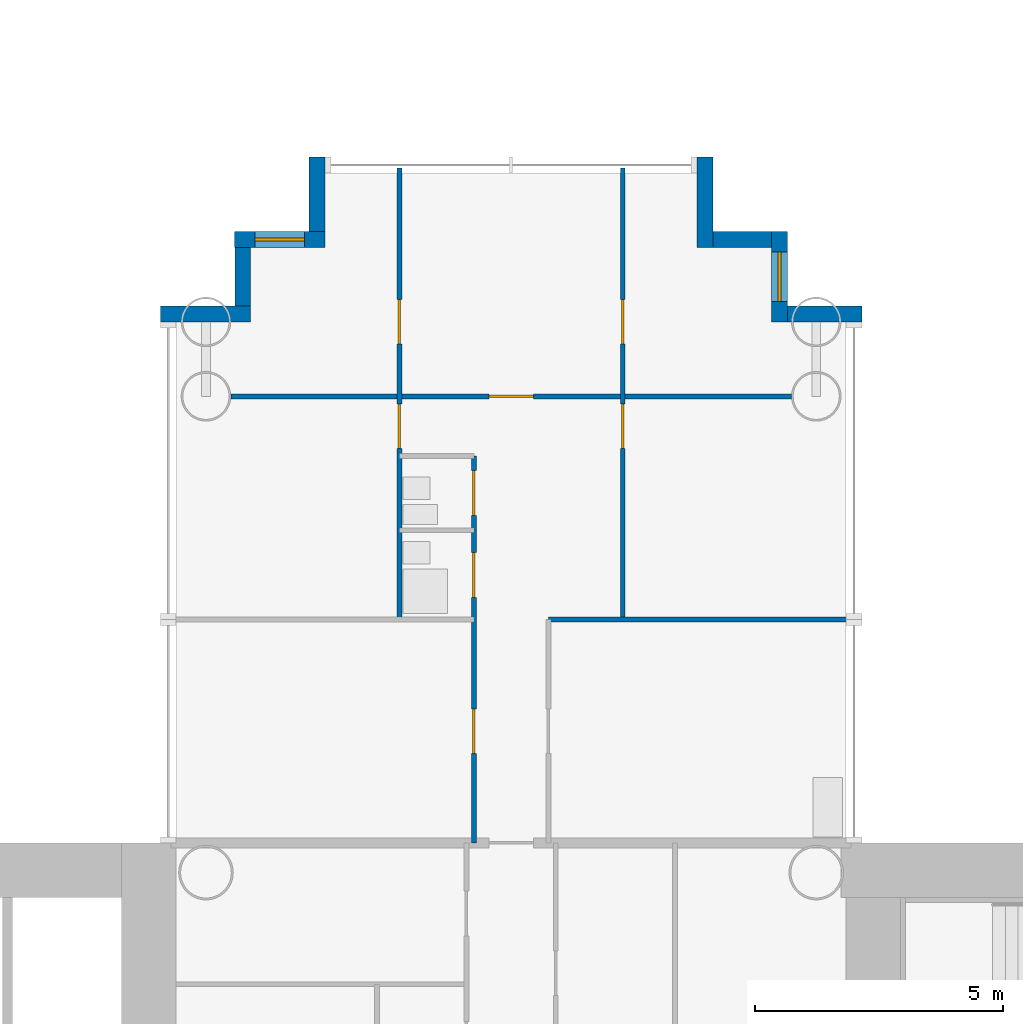
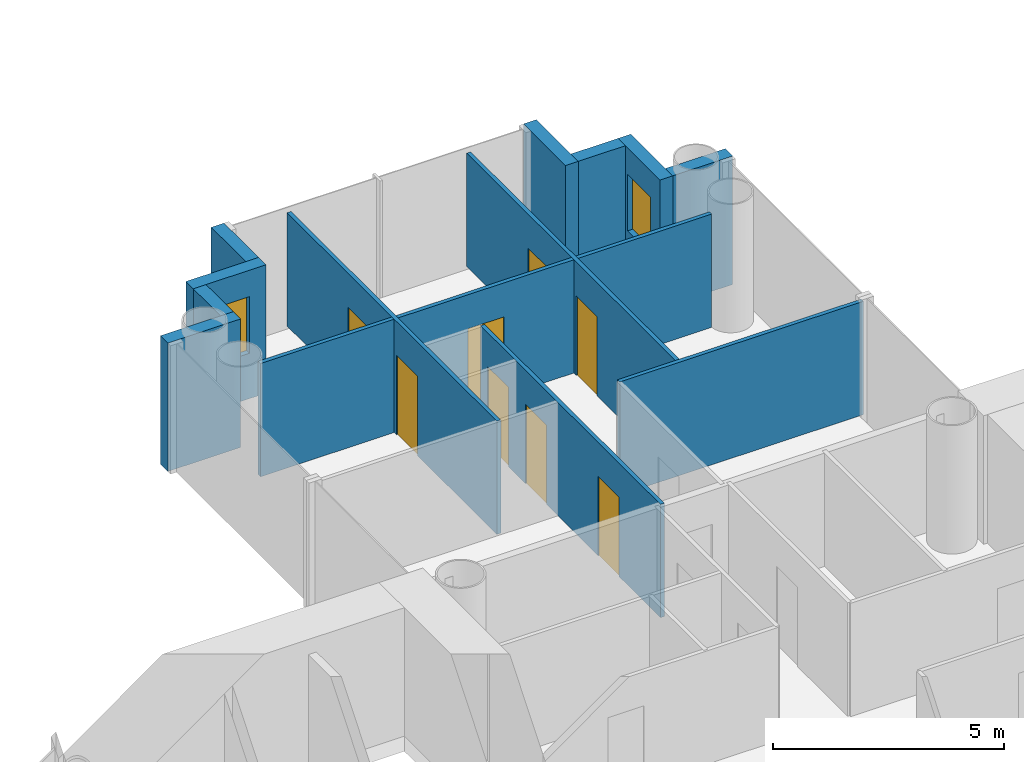
# One storey, part 12 of 22: 13 walls, 8 doors, 2 windows, 10 openings.
"""IFC4 building model written with IfcOpenShell, lengths in metres."""

from ifc_helpers import new_model, si_unit, direction, frame, frame_2d, origin, place, context, subcontext, project, spatial, rectangle, extrude, material, layer, layer_set, type_object, element, fill, save


model = new_model("IFC4")

# Units and contexts
model_context = context("Model", 3, precision=1e-05, world=origin(), true_north=direction((0.0, 1.0)))
body_context = subcontext(model_context, "Body", "Model", "MODEL_VIEW")
ifc_project = project(units=[si_unit("LENGTHUNIT", "METRE"), si_unit("AREAUNIT", "SQUARE_METRE"), si_unit("VOLUMEUNIT", "CUBIC_METRE"), si_unit("PLANEANGLEUNIT", "RADIAN"), si_unit("MASSUNIT", "GRAM", prefix="KILO")], contexts=[model_context])

# Site, building, storey
site_placement = place(None, origin())
site = spatial("IfcSite", under=ifc_project, at=site_placement, CompositionType="ELEMENT")
building_placement = place(site_placement, origin())
building = spatial("IfcBuilding", under=site, at=building_placement, Name="Ipe Terrace Towers", CompositionType="ELEMENT")
storey_placement = place(building_placement, frame((0.0, 0.0, 68.699951171875)))
storey = spatial("IfcBuildingStorey", under=building, at=storey_placement, Name="L18", CompositionType="ELEMENT", Elevation=68.699951171875)

# Wall
ifc_material_1 = material(Name="Concrete C40/50 with buff precast cladding", Category="concrete")
ifc_layer_1 = layer(ifc_material_1, 0.320068359375)
ifc_layer_set_1 = layer_set([ifc_layer_1], Name="BUFF CLADDING WALL 320")
wall_type_1 = type_object("IfcWallType", Name="BUFF CLADDING WALL 320", PredefinedType="STANDARD", material=ifc_layer_set_1)
wall_1_placement = place(storey_placement, frame((-28.929931640625, 17.409912109375, -0.300048828125), z_axis=(0.0, 0.0, 1.0), x_axis=(-1.0, 0.0, 0.0)))
element("IfcWall", 1, at=wall_1_placement, inside=storey, type_object=wall_type_1, Name="T1-W-L18-34a wall", PredefinedType="STANDARD", context=body_context, shape_type="SweptSolid", body=[
    extrude(rectangle(XDim=1.5, YDim=0.320068359375, at=frame_2d((0.75, 0.0))), origin(), (0.0, 0.0, 1.0), 3.400146484375),
])

# Wall, opening, window
wall_2_placement = place(storey_placement, frame((-30.590087890625, 17.25, -0.300048828125), z_axis=(0.0, 0.0, 1.0), x_axis=(0.0, 1.0, 0.0)))
wall_2 = element("IfcWall", 2, at=wall_2_placement, inside=storey, type_object=wall_type_1, Name="T1-W-L18-35a wall", PredefinedType="STANDARD", context=body_context, shape_type="SweptSolid", body=[
    extrude(rectangle(XDim=1.820068359375, YDim=0.320068359375, at=frame_2d((0.91015625, 0.0))), origin(), (0.0, 0.0, 1.0), 3.400146484375),
])
opening_1_placement = place(wall_2_placement, frame((0.409912109375, 0.0, 1.199951171875)))
opening_1 = element("IfcOpeningElement", 3, at=opening_1_placement, cuts=wall_2, Name="Opening T1-W-05-L18-02", PredefinedType="OPENING", context=body_context, shape_type="SweptSolid", body=[
    extrude(rectangle(XDim=1.0, YDim=1.5, at=frame_2d((0.5, 0.75))), frame((0.0, 0.169921875, 0.0), z_axis=(0.0, -1.0, 0.0), x_axis=(1.0, 0.0, 0.0)), (0.0, 0.0, 1.0), 0.340087890625),
])
ifc_material_2 = material(Name="Glass, clear laminated", Category="glass")
window_type = type_object("IfcWindowType", Name="DWELLING WINDOW 1000 x 1500", PartitioningType="SINGLE_PANEL", PredefinedType="WINDOW", material=ifc_material_2)
window_1_placement = place(opening_1_placement, origin())
window_1 = element("IfcWindow", 4, at=window_1_placement, inside=storey, type_object=window_type, Name="W-05 window", OverallHeight=1.5, OverallWidth=1.0, PartitioningType="SINGLE_PANEL", PredefinedType="WINDOW", context=body_context, shape_type="SweptSolid", body=[
    extrude(rectangle(XDim=1.0, YDim=1.5, at=frame_2d((0.5, 0.75))), frame((0.0, 0.030029296875, 0.0), z_axis=(0.0, -1.0, 0.0), x_axis=(1.0, 0.0, 0.0)), (0.0, 0.0, 1.0), 0.06005859375),
])
fill(opening_1, window_1)

# Walls
wall_3_placement = place(storey_placement, frame((-30.75, 18.909912109375, -0.300048828125), z_axis=(0.0, 0.0, 1.0), x_axis=(-1.0, 0.0, 0.0)))
element("IfcWall", 5, at=wall_3_placement, inside=storey, type_object=wall_type_1, Name="T1-W-L18-36a wall", PredefinedType="STANDARD", context=body_context, shape_type="SweptSolid", body=[
    extrude(rectangle(XDim=1.179931640625, YDim=0.320068359375, at=frame_2d((0.58984375, 0.0))), origin(), (0.0, 0.0, 1.0), 3.400146484375),
])
wall_4_placement = place(storey_placement, frame((-32.090087890625, 18.75, -0.300048828125), z_axis=(0.0, 0.0, 1.0), x_axis=(0.0, 1.0, 0.0)))
element("IfcWall", 6, at=wall_4_placement, inside=storey, type_object=wall_type_1, Name="T1-W-L18-37a wall", PredefinedType="STANDARD", context=body_context, shape_type="SweptSolid", body=[
    extrude(rectangle(XDim=1.820068359375, YDim=0.320068359375, at=frame_2d((0.91015625, 0.0))), origin(), (0.0, 0.0, 1.0), 3.400146484375),
])
wall_5_placement = place(storey_placement, frame((-39.909912109375, 20.570068359375, -0.300048828125), z_axis=(0.0, 0.0, 1.0), x_axis=(0.0, -1.0, 0.0)))
element("IfcWall", 7, at=wall_5_placement, inside=storey, type_object=wall_type_1, Name="T1-W-L18-39a wall", PredefinedType="STANDARD", context=body_context, shape_type="SweptSolid", body=[
    extrude(rectangle(XDim=1.5, YDim=0.320068359375, at=frame_2d((0.75, 0.0))), origin(), (0.0, 0.0, 1.0), 3.400146484375),
])

# Wall, opening, window
wall_6_placement = place(storey_placement, frame((-39.75, 18.909912109375, -0.300048828125), z_axis=(0.0, 0.0, 1.0), x_axis=(-1.0, 0.0, 0.0)))
wall_6 = element("IfcWall", 8, at=wall_6_placement, inside=storey, type_object=wall_type_1, Name="T1-W-L18-40a wall", PredefinedType="STANDARD", context=body_context, shape_type="SweptSolid", body=[
    extrude(rectangle(XDim=1.820068359375, YDim=0.320068359375, at=frame_2d((0.91015625, 0.0))), origin(), (0.0, 0.0, 1.0), 3.400146484375),
])
opening_2_placement = place(wall_6_placement, frame((0.409912109375, 0.0, 1.199951171875)))
opening_2 = element("IfcOpeningElement", 9, at=opening_2_placement, cuts=wall_6, Name="Opening T1-W-05-L18-01", PredefinedType="OPENING", context=body_context, shape_type="SweptSolid", body=[
    extrude(rectangle(XDim=1.0, YDim=1.5, at=frame_2d((0.5, 0.75))), frame((0.0, 0.169921875, 0.0), z_axis=(0.0, -1.0, 0.0), x_axis=(1.0, 0.0, 0.0)), (0.0, 0.0, 1.0), 0.340087890625),
])
window_2_placement = place(opening_2_placement, origin())
window_2 = element("IfcWindow", 10, at=window_2_placement, inside=storey, type_object=window_type, Name="W-05 window", OverallHeight=1.5, OverallWidth=1.0, PartitioningType="SINGLE_PANEL", PredefinedType="WINDOW", context=body_context, shape_type="SweptSolid", body=[
    extrude(rectangle(XDim=1.0, YDim=1.5, at=frame_2d((0.5, 0.75))), frame((0.0, 0.030029296875, 0.0), z_axis=(0.0, -1.0, 0.0), x_axis=(1.0, 0.0, 0.0)), (0.0, 0.0, 1.0), 0.06005859375),
])
fill(opening_2, window_2)

# Walls
wall_7_placement = place(storey_placement, frame((-41.409912109375, 18.75, -0.300048828125), z_axis=(0.0, 0.0, 1.0), x_axis=(0.0, -1.0, 0.0)))
element("IfcWall", 11, at=wall_7_placement, inside=storey, type_object=wall_type_1, Name="T1-W-L18-41a wall", PredefinedType="STANDARD", context=body_context, shape_type="SweptSolid", body=[
    extrude(rectangle(XDim=1.179931640625, YDim=0.320068359375, at=frame_2d((0.58984375, 0.0))), origin(), (0.0, 0.0, 1.0), 3.400146484375),
])
wall_8_placement = place(storey_placement, frame((-41.25, 17.409912109375, -0.300048828125), z_axis=(0.0, 0.0, 1.0), x_axis=(-1.0, 0.0, 0.0)))
element("IfcWall", 12, at=wall_8_placement, inside=storey, type_object=wall_type_1, Name="T1-W-L18-42a wall", PredefinedType="STANDARD", context=body_context, shape_type="SweptSolid", body=[
    extrude(rectangle(XDim=1.820068359375, YDim=0.320068359375, at=frame_2d((0.91015625, 0.0))), origin(), (0.0, 0.0, 1.0), 3.400146484375),
])

# Wall, openings, doors
ifc_material_3 = material(Name="Gypsum board partition", Category="plasterboard")
ifc_layer_2 = layer(ifc_material_3, 0.10009765625)
ifc_layer_set_2 = layer_set([ifc_layer_2], Name="Gypsum board partition 100 mm")
wall_type_2 = type_object("IfcWallType", Name="Gypsum board partition 100 mm", PredefinedType="PARTITIONING", material=ifc_layer_set_2)
wall_9_placement = place(storey_placement, frame((-38.25, 11.25, 0.0), z_axis=(0.0, 0.0, 1.0), x_axis=(0.0, 1.0, 0.0)))
wall_9 = element("IfcWall", 13, at=wall_9_placement, inside=storey, type_object=wall_type_2, Name="Gypsum board partition T1 L18 W05", PredefinedType="PARTITIONING", context=body_context, shape_type="SweptSolid", body=[
    extrude(rectangle(XDim=9.10009765625, YDim=0.10009765625, at=frame_2d((4.550048828125, 0.0))), origin(), (0.0, 0.0, 1.0), 3.0),
])
opening_3_placement = place(wall_9_placement, frame((3.449951171875, 0.0, 0.0)))
opening_3 = element("IfcOpeningElement", 14, at=opening_3_placement, cuts=wall_9, Name="Opening T1-Z1F-14", PredefinedType="OPENING", context=body_context, shape_type="SweptSolid", body=[
    extrude(rectangle(XDim=0.89990234375, YDim=2.10009765625, at=frame_2d((0.449951171875, 1.050048828125))), frame((0.0, 0.06005859375, 0.0), z_axis=(0.0, -1.0, 0.0), x_axis=(1.0, 0.0, 0.0)), (0.0, 0.0, 1.0), 0.1201171875),
])
opening_4_placement = place(wall_9_placement, frame((5.550048828125, 0.0, 0.0)))
opening_4 = element("IfcOpeningElement", 15, at=opening_4_placement, cuts=wall_9, Name="Opening T1-Z1F-17", PredefinedType="OPENING", context=body_context, shape_type="SweptSolid", body=[
    extrude(rectangle(XDim=0.89990234375, YDim=2.10009765625, at=frame_2d((0.449951171875, 1.050048828125))), frame((0.0, 0.06005859375, 0.0), z_axis=(0.0, -1.0, 0.0), x_axis=(1.0, 0.0, 0.0)), (0.0, 0.0, 1.0), 0.1201171875),
])
ifc_material_4 = material(Name="Timber door leaf", Category="wood")
door_type_1 = type_object("IfcDoorType", Name="Bedroom door 900 x 2100", OperationType="NOTDEFINED", PredefinedType="DOOR", material=ifc_material_4)
door_1_placement = place(opening_3_placement, origin())
door_1 = element("IfcDoor", 16, at=door_1_placement, inside=storey, type_object=door_type_1, Name="Bedroom door T1-Z1F-14", OperationType="SINGLE_SWING_RIGHT", OverallHeight=2.10009765625, OverallWidth=0.89990234375, PredefinedType="DOOR", context=body_context, shape_type="SweptSolid", body=[
    extrude(rectangle(XDim=0.89990234375, YDim=2.10009765625, at=frame_2d((0.449951171875, 1.050048828125))), frame((0.0, 0.02490234375, 0.0), z_axis=(0.0, -1.0, 0.0), x_axis=(1.0, 0.0, 0.0)), (0.0, 0.0, 1.0), 0.050048828125),
])
fill(opening_3, door_1)
door_2_placement = place(opening_4_placement, origin())
door_2 = element("IfcDoor", 17, at=door_2_placement, inside=storey, type_object=door_type_1, Name="Bedroom door T1-Z1F-17", OperationType="SINGLE_SWING_LEFT", OverallHeight=2.10009765625, OverallWidth=0.89990234375, PredefinedType="DOOR", context=body_context, shape_type="SweptSolid", body=[
    extrude(rectangle(XDim=0.89990234375, YDim=2.10009765625, at=frame_2d((0.449951171875, 1.050048828125))), frame((0.0, 0.02490234375, 0.0), z_axis=(0.0, -1.0, 0.0), x_axis=(1.0, 0.0, 0.0)), (0.0, 0.0, 1.0), 0.050048828125),
])
fill(opening_4, door_2)

wall_10_placement = place(storey_placement, frame((-36.75, 6.75, 0.0), z_axis=(0.0, 0.0, 1.0), x_axis=(0.0, 1.0, 0.0)))
wall_10 = element("IfcWall", 18, at=wall_10_placement, inside=storey, type_object=wall_type_2, Name="Gypsum board partition T1 L18 W08", PredefinedType="PARTITIONING", context=body_context, shape_type="SweptSolid", body=[
    extrude(rectangle(XDim=7.800048828125, YDim=0.10009765625, at=frame_2d((3.89990234375, 0.0))), origin(), (0.0, 0.0, 1.0), 3.0),
])
opening_5_placement = place(wall_10_placement, frame((1.800048828125, 0.0, 0.0)))
opening_5 = element("IfcOpeningElement", 19, at=opening_5_placement, cuts=wall_10, Name="Opening T1-Z1F-09", PredefinedType="OPENING", context=body_context, shape_type="SweptSolid", body=[
    extrude(rectangle(XDim=0.89990234375, YDim=2.10009765625, at=frame_2d((0.449951171875, 1.050048828125))), frame((0.0, 0.06005859375, 0.0), z_axis=(0.0, -1.0, 0.0), x_axis=(1.0, 0.0, 0.0)), (0.0, 0.0, 1.0), 0.1201171875),
])
opening_6_placement = place(wall_10_placement, frame((4.949951171875, 0.0, 0.0)))
opening_6 = element("IfcOpeningElement", 20, at=opening_6_placement, cuts=wall_10, Name="Opening T1-Z1F-12", PredefinedType="OPENING", context=body_context, shape_type="SweptSolid", body=[
    extrude(rectangle(XDim=0.89990234375, YDim=2.10009765625, at=frame_2d((0.449951171875, 1.050048828125))), frame((0.0, 0.06005859375, 0.0), z_axis=(0.0, -1.0, 0.0), x_axis=(1.0, 0.0, 0.0)), (0.0, 0.0, 1.0), 0.1201171875),
])
opening_7_placement = place(wall_10_placement, frame((6.60009765625, 0.0, 0.0)))
opening_7 = element("IfcOpeningElement", 21, at=opening_7_placement, cuts=wall_10, Name="Opening T1-Z1F-13", PredefinedType="OPENING", context=body_context, shape_type="SweptSolid", body=[
    extrude(rectangle(XDim=0.89990234375, YDim=2.10009765625, at=frame_2d((0.449951171875, 1.050048828125))), frame((0.0, 0.06005859375, 0.0), z_axis=(0.0, -1.0, 0.0), x_axis=(1.0, 0.0, 0.0)), (0.0, 0.0, 1.0), 0.1201171875),
])
ifc_material_5 = material(Name="Timber door leaf", Category="wood")
door_type_2 = type_object("IfcDoorType", Name="Bathroom door 900 x 2100", OperationType="NOTDEFINED", PredefinedType="DOOR", material=ifc_material_5)
door_3_placement = place(opening_6_placement, origin())
door_3 = element("IfcDoor", 22, at=door_3_placement, inside=storey, type_object=door_type_2, Name="Bathroom door T1-Z1F-12", OperationType="SINGLE_SWING_LEFT", OverallHeight=2.10009765625, OverallWidth=0.89990234375, PredefinedType="DOOR", context=body_context, shape_type="SweptSolid", body=[
    extrude(rectangle(XDim=0.89990234375, YDim=2.10009765625, at=frame_2d((0.449951171875, 1.050048828125))), frame((0.0, 0.02490234375, 0.0), z_axis=(0.0, -1.0, 0.0), x_axis=(1.0, 0.0, 0.0)), (0.0, 0.0, 1.0), 0.050048828125),
])
fill(opening_6, door_3)
door_4_placement = place(opening_7_placement, origin())
door_4 = element("IfcDoor", 23, at=door_4_placement, inside=storey, type_object=door_type_2, Name="Bathroom door T1-Z1F-13", OperationType="SINGLE_SWING_LEFT", OverallHeight=2.10009765625, OverallWidth=0.89990234375, PredefinedType="DOOR", context=body_context, shape_type="SweptSolid", body=[
    extrude(rectangle(XDim=0.89990234375, YDim=2.10009765625, at=frame_2d((0.449951171875, 1.050048828125))), frame((0.0, 0.02490234375, 0.0), z_axis=(0.0, -1.0, 0.0), x_axis=(1.0, 0.0, 0.0)), (0.0, 0.0, 1.0), 0.050048828125),
])
fill(opening_7, door_4)
ifc_material_6 = material(Name="Timber door leaf", Category="wood")
door_type_3 = type_object("IfcDoorType", Name="Lounge door 900 x 2100", OperationType="NOTDEFINED", PredefinedType="DOOR", material=ifc_material_6)
door_5_placement = place(opening_5_placement, origin())
door_5 = element("IfcDoor", 24, at=door_5_placement, inside=storey, type_object=door_type_3, Name="Lounge door T1-Z1F-09", OperationType="SINGLE_SWING_RIGHT", OverallHeight=2.10009765625, OverallWidth=0.89990234375, PredefinedType="DOOR", context=body_context, shape_type="SweptSolid", body=[
    extrude(rectangle(XDim=0.89990234375, YDim=2.10009765625, at=frame_2d((0.449951171875, 1.050048828125))), frame((0.0, 0.02490234375, 0.0), z_axis=(0.0, -1.0, 0.0), x_axis=(1.0, 0.0, 0.0)), (0.0, 0.0, 1.0), 0.050048828125),
])
fill(opening_5, door_5)

wall_11_placement = place(storey_placement, frame((-33.75, 11.25, 0.0), z_axis=(0.0, 0.0, 1.0), x_axis=(0.0, 1.0, 0.0)))
wall_11 = element("IfcWall", 25, at=wall_11_placement, inside=storey, type_object=wall_type_2, Name="Gypsum board partition T1 L18 W15", PredefinedType="PARTITIONING", context=body_context, shape_type="SweptSolid", body=[
    extrude(rectangle(XDim=9.10009765625, YDim=0.10009765625, at=frame_2d((4.550048828125, 0.0))), origin(), (0.0, 0.0, 1.0), 3.0),
])
opening_8_placement = place(wall_11_placement, frame((3.449951171875, 0.0, 0.0)))
opening_8 = element("IfcOpeningElement", 26, at=opening_8_placement, cuts=wall_11, Name="Opening T1-Z1F-15", PredefinedType="OPENING", context=body_context, shape_type="SweptSolid", body=[
    extrude(rectangle(XDim=0.89990234375, YDim=2.10009765625, at=frame_2d((0.449951171875, 1.050048828125))), frame((0.0, 0.06005859375, 0.0), z_axis=(0.0, -1.0, 0.0), x_axis=(1.0, 0.0, 0.0)), (0.0, 0.0, 1.0), 0.1201171875),
])
opening_9_placement = place(wall_11_placement, frame((5.550048828125, 0.0, 0.0)))
opening_9 = element("IfcOpeningElement", 27, at=opening_9_placement, cuts=wall_11, Name="Opening T1-Z1F-18", PredefinedType="OPENING", context=body_context, shape_type="SweptSolid", body=[
    extrude(rectangle(XDim=0.89990234375, YDim=2.10009765625, at=frame_2d((0.449951171875, 1.050048828125))), frame((0.0, 0.06005859375, 0.0), z_axis=(0.0, -1.0, 0.0), x_axis=(1.0, 0.0, 0.0)), (0.0, 0.0, 1.0), 0.1201171875),
])
door_6_placement = place(opening_8_placement, origin())
door_6 = element("IfcDoor", 28, at=door_6_placement, inside=storey, type_object=door_type_1, Name="Bedroom door T1-Z1F-15", OperationType="SINGLE_SWING_LEFT", OverallHeight=2.10009765625, OverallWidth=0.89990234375, PredefinedType="DOOR", context=body_context, shape_type="SweptSolid", body=[
    extrude(rectangle(XDim=0.89990234375, YDim=2.10009765625, at=frame_2d((0.449951171875, 1.050048828125))), frame((0.0, 0.02490234375, 0.0), z_axis=(0.0, -1.0, 0.0), x_axis=(1.0, 0.0, 0.0)), (0.0, 0.0, 1.0), 0.050048828125),
])
fill(opening_8, door_6)
door_7_placement = place(opening_9_placement, origin())
door_7 = element("IfcDoor", 29, at=door_7_placement, inside=storey, type_object=door_type_1, Name="Bedroom door T1-Z1F-18", OperationType="SINGLE_SWING_RIGHT", OverallHeight=2.10009765625, OverallWidth=0.89990234375, PredefinedType="DOOR", context=body_context, shape_type="SweptSolid", body=[
    extrude(rectangle(XDim=0.89990234375, YDim=2.10009765625, at=frame_2d((0.449951171875, 1.050048828125))), frame((0.0, 0.02490234375, 0.0), z_axis=(0.0, -1.0, 0.0), x_axis=(1.0, 0.0, 0.0)), (0.0, 0.0, 1.0), 0.050048828125),
])
fill(opening_9, door_7)

# Wall
wall_12_placement = place(storey_placement, frame((-35.25, 11.25, 0.0), z_axis=(0.0, 0.0, 1.0), x_axis=(1.0, 0.0, 0.0)))
element("IfcWall", 30, at=wall_12_placement, inside=storey, type_object=wall_type_2, Name="Gypsum board partition T1 L18 W49", PredefinedType="PARTITIONING", context=body_context, shape_type="SweptSolid", body=[
    extrude(rectangle(XDim=6.10009765625, YDim=0.10009765625, at=frame_2d((3.050048828125, 0.0))), origin(), (0.0, 0.0, 1.0), 3.0),
])

# Wall, opening, door
wall_13_placement = place(storey_placement, frame((-41.64990234375, 15.75, 0.0), z_axis=(0.0, 0.0, 1.0), x_axis=(1.0, 0.0, 0.0)))
wall_13 = element("IfcWall", 31, at=wall_13_placement, inside=storey, type_object=wall_type_2, Name="Gypsum board partition T1 L18 W52", PredefinedType="PARTITIONING", context=body_context, shape_type="SweptSolid", body=[
    extrude(rectangle(XDim=11.2998046875, YDim=0.10009765625, at=frame_2d((5.64990234375, 0.0))), origin(), (0.0, 0.0, 1.0), 3.0),
])
opening_10_placement = place(wall_13_placement, frame((5.199951171875, 0.0, 0.0)))
opening_10 = element("IfcOpeningElement", 32, at=opening_10_placement, cuts=wall_13, Name="Opening T1-Z1F-16", PredefinedType="OPENING", context=body_context, shape_type="SweptSolid", body=[
    extrude(rectangle(XDim=0.89990234375, YDim=2.10009765625, at=frame_2d((0.449951171875, 1.050048828125))), frame((0.0, 0.06005859375, 0.0), z_axis=(0.0, -1.0, 0.0), x_axis=(1.0, 0.0, 0.0)), (0.0, 0.0, 1.0), 0.1201171875),
])
door_8_placement = place(opening_10_placement, origin())
door_8 = element("IfcDoor", 33, at=door_8_placement, inside=storey, type_object=door_type_3, Name="Lounge door T1-Z1F-16", OperationType="SINGLE_SWING_LEFT", OverallHeight=2.10009765625, OverallWidth=0.89990234375, PredefinedType="DOOR", context=body_context, shape_type="SweptSolid", body=[
    extrude(rectangle(XDim=0.89990234375, YDim=2.10009765625, at=frame_2d((0.449951171875, 1.050048828125))), frame((0.0, 0.02490234375, 0.0), z_axis=(0.0, -1.0, 0.0), x_axis=(1.0, 0.0, 0.0)), (0.0, 0.0, 1.0), 0.050048828125),
])
fill(opening_10, door_8)

save(model, "model.ifc")
